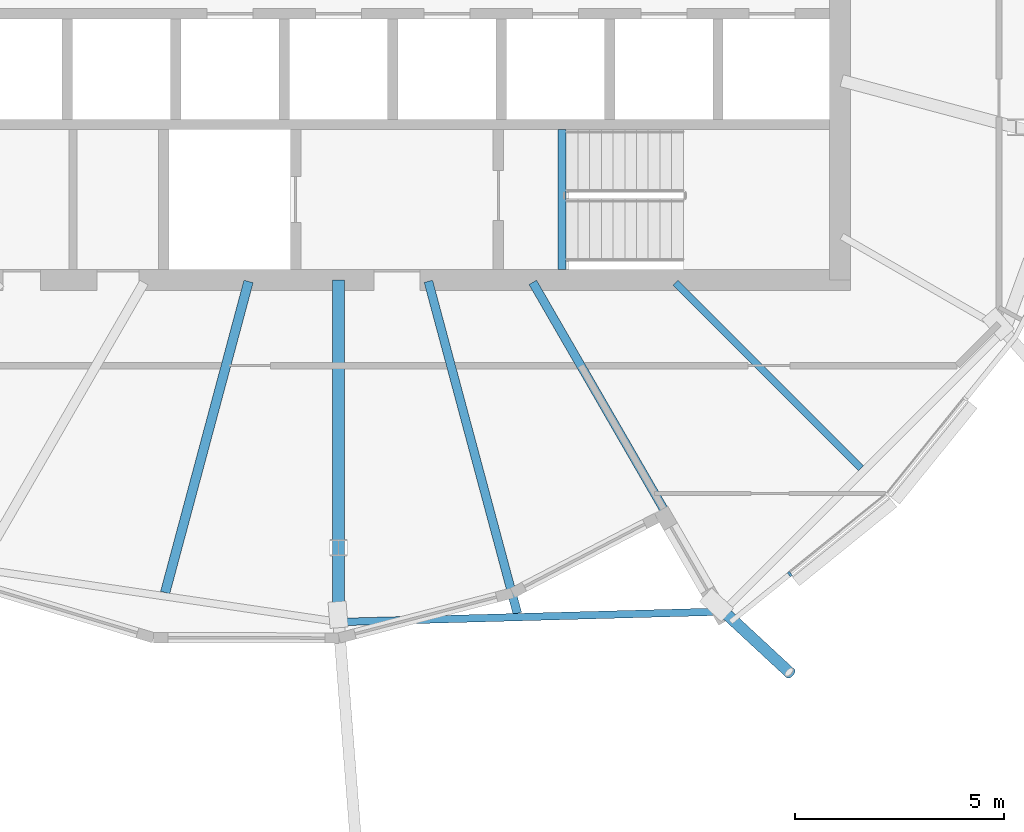
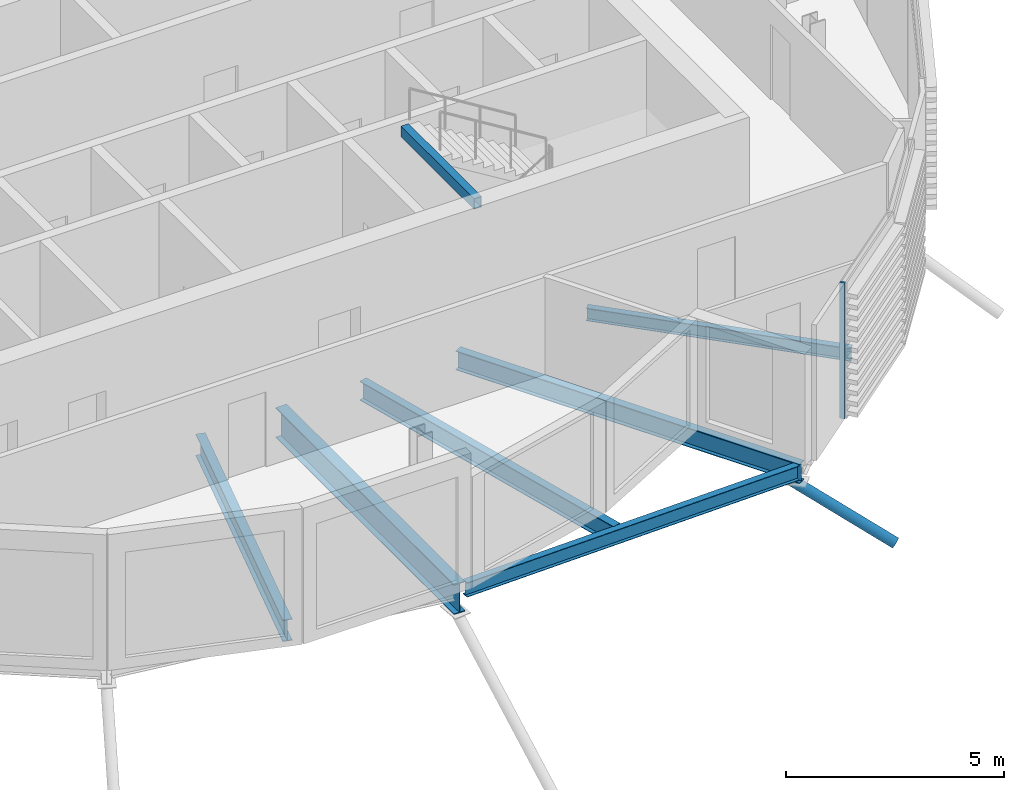
# One storey, part 10 of 35: 7 beams, 2 members, 1 element without a shape of its own.
"""IFC4 building model written with IfcOpenShell, lengths in metres."""

from ifc_helpers import new_model, si_unit, direction, frame, origin, origin_2d, place, context, subcontext, project, spatial, rectangle, hollow_rectangle, hollow_circle, i_section, extrude, clip, halfspace, material, material_profile, profile_set, type_object, element, aggregate, save


model = new_model("IFC4")

# Units and contexts
model_context = context("Model", 3, precision=1e-05, world=origin(), true_north=direction((0.0, 1.0)))
body_context = subcontext(model_context, "Body", "Model", "MODEL_VIEW")
ifc_project = project(units=[si_unit("LENGTHUNIT", "METRE"), si_unit("AREAUNIT", "SQUARE_METRE"), si_unit("VOLUMEUNIT", "CUBIC_METRE"), si_unit("PLANEANGLEUNIT", "RADIAN"), si_unit("MASSUNIT", "GRAM", prefix="KILO")], contexts=[model_context])

# Site, building, storey
site_placement = place(None, origin())
site = spatial("IfcSite", under=ifc_project, at=site_placement, CompositionType="ELEMENT")
building_placement = place(site_placement, origin())
building = spatial("IfcBuilding", under=site, at=building_placement, Name="Rimbun Link Towers", CompositionType="ELEMENT")
storey_placement = place(building_placement, frame((0.0, 0.0, 225.699951171875)))
storey = spatial("IfcBuildingStorey", under=building, at=storey_placement, Name="L55", CompositionType="ELEMENT", Elevation=225.699951171875)

# Curtain wall, member
ifc_material_1 = material(Name="Aluminium 6063-T6 and low-iron glass", Category="aluminium")
curtain_wall_type = type_object("IfcCurtainWallType", Name="CW1-Z4 unitised vision wall (zone 4)", PredefinedType="NOTDEFINED", material=ifc_material_1)
curtain_wall_placement = place(storey_placement, origin())
curtain_wall = element("IfcCurtainWall", 1, at=curtain_wall_placement, inside=storey, type_object=curtain_wall_type, Name="CW1 L55 T2", PredefinedType="NOTDEFINED")
ifc_material_2 = material(Name="Aluminium 6063-T6", Category="aluminium")
ifc_material_profile_1 = material_profile(ifc_material_2, rectangle(XDim=0.1201171875, YDim=0.06005859375, at=origin_2d()), Name="MULLION 60X120")
ifc_profile_set_1 = profile_set([ifc_material_profile_1], Name="Aluminium 6063-T6")
member_type_1 = type_object("IfcMemberType", Name="CW1 mullion 60X120", PredefinedType="MULLION", material=ifc_profile_set_1)
member_1_placement = place(storey_placement, frame((42.54931640625, -15.03173828125, 0.0), z_axis=(0.0, 0.0, 1.0), x_axis=(0.629160290454, -0.777275581063, 0.0)))
member_1 = element("IfcMember", 2, at=member_1_placement, type_object=member_type_1, Name="CW1 mullion", PredefinedType="MULLION", context=body_context, shape_type="SweptSolid", body=[
    extrude(rectangle(XDim=0.1201171875, YDim=0.06005859375, at=origin_2d()), origin(), (0.0, 0.0, 1.0), 3.800048828125),
])
aggregate(curtain_wall, [member_1])

# Member
ifc_material_3 = material(Name="Steel S355J2H", Category="steel")
ifc_material_profile_2 = material_profile(ifc_material_3, hollow_circle(Radius=0.136474609375, WallThickness=0.012451171875, at=origin_2d()), Name="CHS 273x12.5")
ifc_profile_set_2 = profile_set([ifc_material_profile_2], Name="Steel S355J2H")
member_type_2 = type_object("IfcMemberType", Name="Floor edge link CHS 273x12.5", PredefinedType="BRACE", material=ifc_profile_set_2)
member_2_placement = place(storey_placement, frame((40.922119140625, -15.88671875, -0.79150390625), z_axis=(0.638931068912, -0.592110805535, -0.49109254031), x_axis=(0.679721926218, 0.733469906007, 0.0)))
element("IfcMember", 3, at=member_2_placement, inside=storey, type_object=member_type_2, Name="Floor edge link T2 L55 17", PredefinedType="BRACE", context=body_context, shape_type="Clipping", body=[
    clip(extrude(hollow_circle(Radius=0.136474609375, WallThickness=0.012451171875, at=origin_2d()), frame((0.0, 0.0, -0.504638671875)), (0.0, 0.0, 1.0), 3.085693359375), halfspace(frame((0.0, 0.0, -0.237060546875), z_axis=(0.0, 0.871107408333, -0.49109254031)), False)),
])

# Beams
ifc_material_4 = material(Name="Steel S355J2", Category="steel")
ifc_material_profile_3 = material_profile(ifc_material_4, hollow_rectangle(XDim=0.199951171875, YDim=0.300048828125, WallThickness=0.011962890625, at=origin_2d()), Name="BOX 300x200x12")
ifc_profile_set_3 = profile_set([ifc_material_profile_3], Name="Steel S355J2")
beam_type_1 = type_object("IfcBeamType", Name="Stair trimmer beam BOX 300x200x12", PredefinedType="BEAM", material=ifc_profile_set_3)
beam_1_placement = place(storey_placement, frame((37.10009765625, -7.75, 3.510009765625), z_axis=(0.0, 1.0, 0.0), x_axis=(-1.0, 0.0, 0.0)))
element("IfcBeam", 4, at=beam_1_placement, inside=storey, type_object=beam_type_1, Name="L55 ST4 stair beam 1", PredefinedType="BEAM", context=body_context, shape_type="SweptSolid", body=[
    extrude(hollow_rectangle(XDim=0.199951171875, YDim=0.300048828125, WallThickness=0.011962890625, at=origin_2d()), origin(), (0.0, 0.0, 1.0), 3.35009765625),
])
ifc_material_5 = material(Name="Steel S355J2", Category="steel")
ifc_material_profile_4 = material_profile(ifc_material_5, i_section(OverallWidth=0.17138671875, OverallDepth=0.35498046875, WebThickness=0.00732421875, FlangeThickness=0.011474609375, at=origin_2d()), Name="UB 356x171x51")
ifc_profile_set_4 = profile_set([ifc_material_profile_4], Name="Steel S355J2")
beam_type_2 = type_object("IfcBeamType", Name="UB 356x171x51", PredefinedType="BEAM", material=ifc_profile_set_4)
beam_2_placement = place(storey_placement, frame((39.811279296875, -8.061279296875, -0.3173828125), z_axis=(0.707106781187, -0.707106781187, 0.0), x_axis=(0.707106781187, 0.707106781187, 0.0)))
element("IfcBeam", 5, at=beam_2_placement, inside=storey, type_object=beam_type_2, Name="Radial beam T2 L55 18", PredefinedType="BEAM", context=body_context, shape_type="SweptSolid", body=[
    extrude(i_section(OverallWidth=0.17138671875, OverallDepth=0.35498046875, WebThickness=0.00732421875, FlangeThickness=0.011474609375, at=origin_2d()), origin(), (0.0, 0.0, 1.0), 6.27734375),
])
ifc_material_6 = material(Name="Steel S355J2", Category="steel")
ifc_material_profile_5 = material_profile(ifc_material_6, i_section(OverallWidth=0.177978515625, OverallDepth=0.406494140625, WebThickness=0.0078125, FlangeThickness=0.0126953125, at=origin_2d()), Name="UB 406x178x60")
ifc_profile_set_5 = profile_set([ifc_material_profile_5], Name="Steel S355J2")
beam_type_3 = type_object("IfcBeamType", Name="UB 406x178x60", PredefinedType="BEAM", material=ifc_profile_set_5)
beam_3_placement = place(storey_placement, frame((31.897216796875, -16.175048828125, -0.34326171875), z_axis=(0.999633172293, 0.027083590063, 0.0), x_axis=(-0.027083590063, 0.999633172293, 0.0)))
element("IfcBeam", 6, at=beam_3_placement, inside=storey, type_object=beam_type_3, Name="Edge beam T2 L55 15-17", PredefinedType="BEAM", context=body_context, shape_type="SweptSolid", body=[
    extrude(i_section(OverallWidth=0.177978515625, OverallDepth=0.406494140625, WebThickness=0.0078125, FlangeThickness=0.0126953125, at=origin_2d()), origin(), (0.0, 0.0, 1.0), 8.93310546875),
])
ifc_material_7 = material(Name="Steel S355J2", Category="steel")
ifc_material_profile_6 = material_profile(ifc_material_7, i_section(OverallWidth=0.209228515625, OverallDepth=0.533203125, WebThickness=0.010009765625, FlangeThickness=0.015625, at=origin_2d()), Name="UB 533x210x92")
ifc_profile_set_6 = profile_set([ifc_material_profile_6], Name="Steel S355J2")
beam_type_4 = type_object("IfcBeamType", Name="UB 533x210x92", PredefinedType="BEAM", material=ifc_profile_set_6)
beam_4_placement = place(storey_placement, frame((33.901123046875, -8.028076171875, -0.406494140625), z_axis=(0.258822629453, -0.965924865858, 0.0), x_axis=(0.965924865858, 0.258822629453, 0.0)))
element("IfcBeam", 7, at=beam_4_placement, inside=storey, type_object=beam_type_4, Name="Radial beam T2 L55 16", PredefinedType="BEAM", context=body_context, shape_type="SweptSolid", body=[
    extrude(i_section(OverallWidth=0.209228515625, OverallDepth=0.533203125, WebThickness=0.010009765625, FlangeThickness=0.015625, at=origin_2d()), origin(), (0.0, 0.0, 1.0), 8.225341796875),
])
beam_5_placement = place(storey_placement, frame((36.3994140625, -8.05322265625, -0.406494140625), z_axis=(0.499998958472, -0.86602600511, 0.0), x_axis=(0.86602600511, 0.499998958472, 0.0)))
element("IfcBeam", 8, at=beam_5_placement, inside=storey, type_object=beam_type_4, Name="Radial beam T2 L55 17", PredefinedType="BEAM", context=body_context, shape_type="SweptSolid", body=[
    extrude(i_section(OverallWidth=0.209228515625, OverallDepth=0.533203125, WebThickness=0.010009765625, FlangeThickness=0.015625, at=origin_2d()), origin(), (0.0, 0.0, 1.0), 9.09521484375),
])
ifc_material_8 = material(Name="Steel S355J2", Category="steel")
ifc_material_profile_7 = material_profile(ifc_material_8, i_section(OverallWidth=0.2275390625, OverallDepth=0.6025390625, WebThickness=0.010498046875, FlangeThickness=0.014892578125, at=origin_2d()), Name="UB 610x229x101")
ifc_profile_set_7 = profile_set([ifc_material_profile_7], Name="Steel S355J2")
beam_type_5 = type_object("IfcBeamType", Name="UB 610x229x101", PredefinedType="BEAM", material=ifc_profile_set_7)
beam_6_placement = place(storey_placement, frame((29.598388671875, -8.030517578125, -0.441162109375), z_axis=(-0.258847454129, -0.965918213665, 0.0), x_axis=(0.965918213665, -0.258847454129, 0.0)))
element("IfcBeam", 9, at=beam_6_placement, inside=storey, type_object=beam_type_5, Name="Radial beam T2 L55 14", PredefinedType="BEAM", context=body_context, shape_type="SweptSolid", body=[
    extrude(i_section(OverallWidth=0.2275390625, OverallDepth=0.6025390625, WebThickness=0.010498046875, FlangeThickness=0.014892578125, at=origin_2d()), origin(), (0.0, 0.0, 1.0), 7.706787109375),
])
ifc_material_9 = material(Name="Steel S355J2", Category="steel")
ifc_material_profile_8 = material_profile(ifc_material_9, i_section(OverallWidth=0.29248046875, OverallDepth=0.8408203125, WebThickness=0.0126953125, FlangeThickness=0.021728515625, at=origin_2d()), Name="UB 838x292x194")
ifc_profile_set_8 = profile_set([ifc_material_profile_8], Name="Steel S355J2")
beam_type_6 = type_object("IfcBeamType", Name="UB 838x292x194", PredefinedType="BEAM", material=ifc_profile_set_8)
beam_7_placement = place(storey_placement, frame((31.75, -8.0009765625, -0.560302734375), z_axis=(0.0, -1.0, 0.0), x_axis=(1.0, 0.0, 0.0)))
element("IfcBeam", 10, at=beam_7_placement, inside=storey, type_object=beam_type_6, Name="Radial beam T2 L55 15", PredefinedType="BEAM", context=body_context, shape_type="SweptSolid", body=[
    extrude(i_section(OverallWidth=0.29248046875, OverallDepth=0.8408203125, WebThickness=0.0126953125, FlangeThickness=0.021728515625, at=origin_2d()), origin(), (0.0, 0.0, 1.0), 8.177978515625),
])

save(model, "model.ifc")
